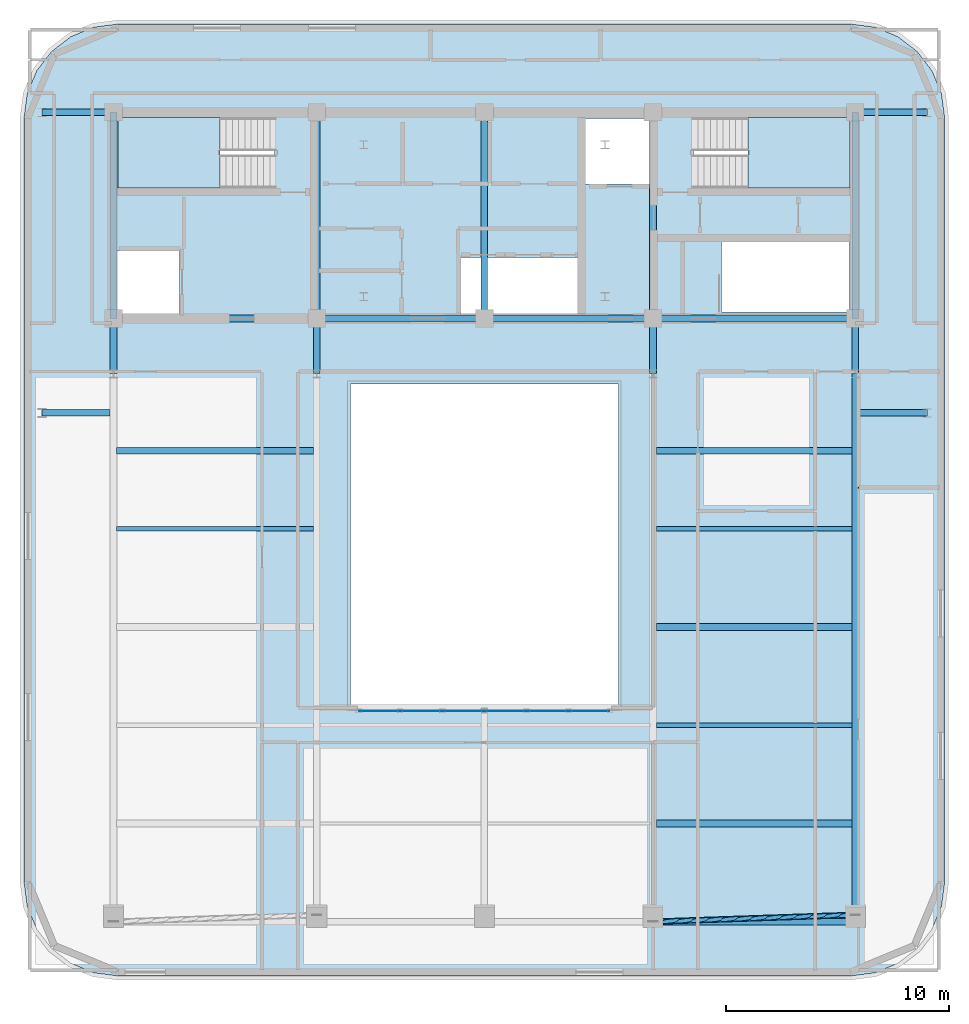
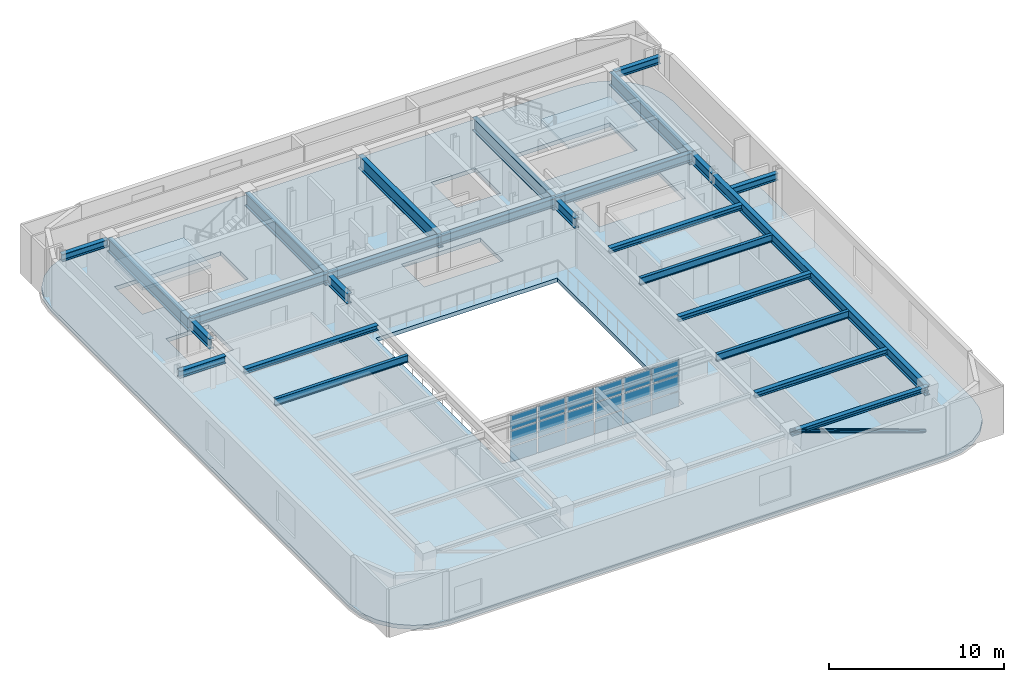
# One storey, part 4 of 11: 26 beams, 18 plates, 3 slabs, 1 member, 3 elements without a shape of their own.
"""IFC4 building model written with IfcOpenShell, lengths in metres."""

from ifc_helpers import new_model, si_unit, direction, frame, origin, origin_2d, place, context, subcontext, project, spatial, polyline, rectangle, hollow_circle, i_section, outline, extrude, material, layer, layer_set, material_profile, profile_set, type_object, element, aggregate, save


model = new_model("IFC4")

# Units and contexts
model_context = context("Model", 3, precision=1e-05, world=origin(), true_north=direction((0.0, 1.0)))
body_context = subcontext(model_context, "Body", "Model", "MODEL_VIEW")
ifc_project = project(units=[si_unit("LENGTHUNIT", "METRE"), si_unit("AREAUNIT", "SQUARE_METRE"), si_unit("VOLUMEUNIT", "CUBIC_METRE"), si_unit("PLANEANGLEUNIT", "RADIAN"), si_unit("MASSUNIT", "GRAM", prefix="KILO")], contexts=[model_context])

# Site, building, storey
site_placement = place(None, origin())
site = spatial("IfcSite", under=ifc_project, at=site_placement, CompositionType="ELEMENT")
building_placement = place(site_placement, origin())
building = spatial("IfcBuilding", under=site, at=building_placement, Name="Zarnavel Station Tower", CompositionType="ELEMENT")
storey_placement = place(building_placement, frame((0.0, 0.0, 276.89990234375)))
storey = spatial("IfcBuildingStorey", under=building, at=storey_placement, Name="L75", CompositionType="ELEMENT", Elevation=276.89990234375)

# Member
ifc_material_1 = material(Name="Steel S355J2", Category="steel")
ifc_material_profile_1 = material_profile(ifc_material_1, hollow_circle(Radius=0.122314453125, WallThickness=0.010009765625, at=origin_2d()), Name="CHS244.5x10")
ifc_profile_set_1 = profile_set([ifc_material_profile_1], Name="Steel S355J2")
member_type = type_object("IfcMemberType", Name="DB_EXT_CHS245", PredefinedType="BRACE", material=ifc_profile_set_1)
member_placement = place(storey_placement, frame((45.39990234375, 1.13525390625, 0.0), z_axis=(-0.936319427432, -0.031675422521, 0.349717882616), x_axis=(0.033810376748, -0.999428265772, 0.0)))
element("IfcMember", 1, at=member_placement, inside=storey, type_object=member_type, Name="L75 Persian Exterior Diagonal Frame Brace 2", PredefinedType="BRACE", context=body_context, shape_type="SweptSolid", body=[
    extrude(hollow_circle(Radius=0.122314453125, WallThickness=0.010009765625, at=origin_2d()), origin(), (0.0, 0.0, 1.0), 9.665283203125),
])

# Beams
ifc_material_2 = material(Name="Steel S355J2", Category="steel")
ifc_material_profile_2 = material_profile(ifc_material_2, i_section(OverallWidth=0.300048828125, OverallDepth=0.320068359375, WebThickness=0.011474609375, FlangeThickness=0.0205078125, FilletRadius=0.027099609375, at=origin_2d()), Name="HEB320")
ifc_profile_set_2 = profile_set([ifc_material_profile_2], Name="Steel S355J2")
beam_type_1 = type_object("IfcBeamType", Name="EB_HEB320", PredefinedType="SPANDREL", material=ifc_profile_set_2)
beam_1_placement = place(storey_placement, frame((36.35009765625, 0.8291015625, 3.22021484375), z_axis=(1.0, 0.0, 0.0), x_axis=(0.0, 1.0, 0.0)))
element("IfcBeam", 2, at=beam_1_placement, inside=storey, type_object=beam_type_1, Name="L75 South Raked Spandrel 4", PredefinedType="SPANDREL", context=body_context, shape_type="SweptSolid", body=[
    extrude(i_section(OverallWidth=0.300048828125, OverallDepth=0.320068359375, WebThickness=0.011474609375, FlangeThickness=0.0205078125, FilletRadius=0.027099609375, at=origin_2d()), origin(), (0.0, 0.0, 1.0), 9.0498046875),
])
ifc_material_3 = material(Name="Steel S355J2", Category="steel")
ifc_material_profile_3 = material_profile(ifc_material_3, i_section(OverallWidth=0.300048828125, OverallDepth=0.35009765625, WebThickness=0.010009765625, FlangeThickness=0.017578125, FilletRadius=0.027099609375, at=origin_2d()), Name="HEA360")
ifc_profile_set_3 = profile_set([ifc_material_profile_3], Name="Steel S355J2")
beam_type_2 = type_object("IfcBeamType", Name="FB_HEA360", PredefinedType="BEAM", material=ifc_profile_set_3)
for number, where, z_axis, x_axis, name in (
    (3, (36.4951171875, 5.22412109375, 3.205078125), (1.0, 0.0, 0.0), (0.0, 1.0, 0.0), "L75 East Bay Beam 1"),
    (4, (36.4951171875, 14.014404296875, 3.205078125), (1.0, 0.0, 0.0), (0.0, 1.0, 0.0), "L75 East Bay Beam 3"),
):
    element("IfcBeam", number, at=place(storey_placement, frame(where, z_axis=z_axis, x_axis=x_axis)), inside=storey, type_object=beam_type_2, Name=name, PredefinedType="BEAM", context=body_context, shape_type="SweptSolid", body=[
        extrude(i_section(OverallWidth=0.300048828125, OverallDepth=0.35009765625, WebThickness=0.010009765625, FlangeThickness=0.017578125, FilletRadius=0.027099609375, at=origin_2d()), origin(), (0.0, 0.0, 1.0), 8.759765625),
    ])
beam_2_placement = place(storey_placement, frame((12.344970703125, 21.90478515625, 3.205078125), z_axis=(1.0, 0.0, 0.0), x_axis=(0.0, 1.0, 0.0)))
element("IfcBeam", 5, at=beam_2_placement, inside=storey, type_object=beam_type_2, Name="L75 West Bay Beam 5", PredefinedType="BEAM", context=body_context, shape_type="SweptSolid", body=[
    extrude(i_section(OverallWidth=0.300048828125, OverallDepth=0.35009765625, WebThickness=0.010009765625, FlangeThickness=0.017578125, FilletRadius=0.027099609375, at=origin_2d()), origin(), (0.0, 0.0, 1.0), 8.81005859375),
])
beam_3_placement = place(storey_placement, frame((36.4951171875, 21.90478515625, 3.205078125), z_axis=(1.0, 0.0, 0.0), x_axis=(0.0, 1.0, 0.0)))
element("IfcBeam", 6, at=beam_3_placement, inside=storey, type_object=beam_type_2, Name="L75 East Bay Beam 5", PredefinedType="BEAM", context=body_context, shape_type="SweptSolid", body=[
    extrude(i_section(OverallWidth=0.300048828125, OverallDepth=0.35009765625, WebThickness=0.010009765625, FlangeThickness=0.017578125, FilletRadius=0.027099609375, at=origin_2d()), origin(), (0.0, 0.0, 1.0), 8.759765625),
])
ifc_material_4 = material(Name="Steel S355J2", Category="steel")
ifc_material_profile_4 = material_profile(ifc_material_4, i_section(OverallWidth=0.199951171875, OverallDepth=0.5, WebThickness=0.01025390625, FlangeThickness=0.01611328125, FilletRadius=0.02099609375, at=origin_2d()), Name="IPE500")
ifc_profile_set_4 = profile_set([ifc_material_profile_4], Name="Steel S355J2")
beam_type_3 = type_object("IfcBeamType", Name="FB_IPE500", PredefinedType="BEAM", material=ifc_profile_set_4)
beam_4_placement = place(storey_placement, frame((36.4951171875, 9.619384765625, 3.130126953125), z_axis=(1.0, 0.0, 0.0), x_axis=(0.0, 1.0, 0.0)))
element("IfcBeam", 7, at=beam_4_placement, inside=storey, type_object=beam_type_3, Name="L75 East Bay Beam 2", PredefinedType="BEAM", context=body_context, shape_type="SweptSolid", body=[
    extrude(i_section(OverallWidth=0.199951171875, OverallDepth=0.5, WebThickness=0.01025390625, FlangeThickness=0.01611328125, FilletRadius=0.02099609375, at=origin_2d()), origin(), (0.0, 0.0, 1.0), 8.759765625),
])
beam_5_placement = place(storey_placement, frame((12.344970703125, 18.40966796875, 3.130126953125), z_axis=(1.0, 0.0, 0.0), x_axis=(0.0, 1.0, 0.0)))
element("IfcBeam", 8, at=beam_5_placement, inside=storey, type_object=beam_type_3, Name="L75 West Bay Beam 4", PredefinedType="BEAM", context=body_context, shape_type="SweptSolid", body=[
    extrude(i_section(OverallWidth=0.199951171875, OverallDepth=0.5, WebThickness=0.01025390625, FlangeThickness=0.01611328125, FilletRadius=0.02099609375, at=origin_2d()), origin(), (0.0, 0.0, 1.0), 8.81005859375),
])
beam_6_placement = place(storey_placement, frame((36.4951171875, 18.40966796875, 3.130126953125), z_axis=(1.0, 0.0, 0.0), x_axis=(0.0, 1.0, 0.0)))
element("IfcBeam", 9, at=beam_6_placement, inside=storey, type_object=beam_type_3, Name="L75 East Bay Beam 4", PredefinedType="BEAM", context=body_context, shape_type="SweptSolid", body=[
    extrude(i_section(OverallWidth=0.199951171875, OverallDepth=0.5, WebThickness=0.01025390625, FlangeThickness=0.01611328125, FilletRadius=0.02099609375, at=origin_2d()), origin(), (0.0, 0.0, 1.0), 8.759765625),
])
ifc_material_5 = material(Name="Steel S355J2", Category="steel")
ifc_material_profile_5 = material_profile(ifc_material_5, i_section(OverallWidth=0.300048828125, OverallDepth=0.5, WebThickness=0.014404296875, FlangeThickness=0.028076171875, FilletRadius=0.027099609375, at=origin_2d()), Name="HEB500")
ifc_profile_set_5 = profile_set([ifc_material_profile_5], Name="Steel S355J2")
beam_type_4 = type_object("IfcBeamType", Name="FG_HEB500", PredefinedType="USERDEFINED", material=ifc_profile_set_5)
for number, where, z_axis, x_axis, name in (
    (10, (9.0, 23.60009765625, 3.130126953125), (1.0, 0.0, 0.0), (0.0, 1.0, 0.0), "L75 West Wing South Tie 1"),
    (11, (9.0, 37.050048828125, 3.130126953125), (1.0, 0.0, 0.0), (0.0, 1.0, 0.0), "L75 West Wing North Tie 1"),
):
    element("IfcBeam", number, at=place(storey_placement, frame(where, z_axis=z_axis, x_axis=x_axis)), inside=storey, type_object=beam_type_4, Name=name, ObjectType="GIRDER", PredefinedType="USERDEFINED", context=body_context, shape_type="SweptSolid", body=[
        extrude(i_section(OverallWidth=0.300048828125, OverallDepth=0.5, WebThickness=0.014404296875, FlangeThickness=0.028076171875, FilletRadius=0.027099609375, at=origin_2d()), origin(), (0.0, 0.0, 1.0), 3.054931640625),
    ])
for number, where, z_axis, x_axis, name in (
    (12, (45.544921875, 23.60009765625, 3.130126953125), (1.0, 0.0, 0.0), (0.0, 1.0, 0.0), "L75 East Wing South Tie 1"),
    (13, (45.544921875, 37.050048828125, 3.130126953125), (1.0, 0.0, 0.0), (0.0, 1.0, 0.0), "L75 East Wing North Tie 1"),
):
    element("IfcBeam", number, at=place(storey_placement, frame(where, z_axis=z_axis, x_axis=x_axis)), inside=storey, type_object=beam_type_4, Name=name, ObjectType="GIRDER", PredefinedType="USERDEFINED", context=body_context, shape_type="SweptSolid", body=[
        extrude(i_section(OverallWidth=0.300048828125, OverallDepth=0.5, WebThickness=0.014404296875, FlangeThickness=0.028076171875, FilletRadius=0.027099609375, at=origin_2d()), origin(), (0.0, 0.0, 1.0), 3.05517578125),
    ])
ifc_material_6 = material(Name="Steel S355J2", Category="steel")
ifc_material_profile_6 = material_profile(ifc_material_6, i_section(OverallWidth=0.300048828125, OverallDepth=0.60009765625, WebThickness=0.015380859375, FlangeThickness=0.030029296875, FilletRadius=0.027099609375, at=origin_2d()), Name="HEB600")
ifc_profile_set_6 = profile_set([ifc_material_profile_6], Name="Steel S355J2")
beam_type_5 = type_object("IfcBeamType", Name="FG_HEB600", PredefinedType="USERDEFINED", material=ifc_profile_set_6)
beam_7_placement = place(storey_placement, frame((12.199951171875, 27.820068359375, 3.080078125), z_axis=(1.0, 0.0, 0.0), x_axis=(0.0, 1.0, 0.0)))
element("IfcBeam", 14, at=beam_7_placement, inside=storey, type_object=beam_type_5, Name="L75 Core Front Coupling Beam 1", ObjectType="GIRDER", PredefinedType="USERDEFINED", context=body_context, shape_type="SweptSolid", body=[
    extrude(i_section(OverallWidth=0.300048828125, OverallDepth=0.60009765625, WebThickness=0.015380859375, FlangeThickness=0.030029296875, FilletRadius=0.027099609375, at=origin_2d()), origin(), (0.0, 0.0, 1.0), 9.10009765625),
])
beam_8_placement = place(storey_placement, frame((21.300048828125, 27.820068359375, 3.080078125), z_axis=(1.0, 0.0, 0.0), x_axis=(0.0, 1.0, 0.0)))
element("IfcBeam", 15, at=beam_8_placement, inside=storey, type_object=beam_type_5, Name="L75 Core Front Coupling Beam 2", ObjectType="GIRDER", PredefinedType="USERDEFINED", context=body_context, shape_type="SweptSolid", body=[
    extrude(i_section(OverallWidth=0.300048828125, OverallDepth=0.60009765625, WebThickness=0.015380859375, FlangeThickness=0.030029296875, FilletRadius=0.027099609375, at=origin_2d()), origin(), (0.0, 0.0, 1.0), 7.5),
])
beam_9_placement = place(storey_placement, frame((28.800048828125, 27.820068359375, 3.080078125), z_axis=(1.0, 0.0, 0.0), x_axis=(0.0, 1.0, 0.0)))
element("IfcBeam", 16, at=beam_9_placement, inside=storey, type_object=beam_type_5, Name="L75 Core Front Coupling Beam 3", ObjectType="GIRDER", PredefinedType="USERDEFINED", context=body_context, shape_type="SweptSolid", body=[
    extrude(i_section(OverallWidth=0.300048828125, OverallDepth=0.60009765625, WebThickness=0.015380859375, FlangeThickness=0.030029296875, FilletRadius=0.027099609375, at=origin_2d()), origin(), (0.0, 0.0, 1.0), 7.550048828125),
])
beam_10_placement = place(storey_placement, frame((36.35009765625, 27.820068359375, 3.080078125), z_axis=(1.0, 0.0, 0.0), x_axis=(0.0, 1.0, 0.0)))
element("IfcBeam", 17, at=beam_10_placement, inside=storey, type_object=beam_type_5, Name="L75 Core Front Coupling Beam 4", ObjectType="GIRDER", PredefinedType="USERDEFINED", context=body_context, shape_type="SweptSolid", body=[
    extrude(i_section(OverallWidth=0.300048828125, OverallDepth=0.60009765625, WebThickness=0.015380859375, FlangeThickness=0.030029296875, FilletRadius=0.027099609375, at=origin_2d()), origin(), (0.0, 0.0, 1.0), 9.0498046875),
])
ifc_material_7 = material(Name="Steel S355J2", Category="steel")
ifc_material_profile_7 = material_profile(ifc_material_7, i_section(OverallWidth=0.300048828125, OverallDepth=0.699951171875, WebThickness=0.01708984375, FlangeThickness=0.031982421875, FilletRadius=0.027099609375, at=origin_2d()), Name="HEB700")
ifc_profile_set_7 = profile_set([ifc_material_profile_7], Name="Steel S355J2")
beam_type_6 = type_object("IfcBeamType", Name="FG_HEB700", PredefinedType="USERDEFINED", material=ifc_profile_set_7)
for number, where, z_axis, x_axis, name in (
    (18, (12.199951171875, 25.35009765625, 3.030029296875), (0.0, 1.0, 0.0), (-1.0, 0.0, 0.0), "L75 Inner-Zone NS Girder 1"),
    (19, (21.300048828125, 25.35009765625, 3.030029296875), (0.0, 1.0, 0.0), (-1.0, 0.0, 0.0), "L75 Inner-Zone NS Girder 2"),
    (20, (36.35009765625, 25.35009765625, 3.030029296875), (0.0, 1.0, 0.0), (-1.0, 0.0, 0.0), "L75 Inner-Zone NS Girder 4"),
):
    element("IfcBeam", number, at=place(storey_placement, frame(where, z_axis=z_axis, x_axis=x_axis)), inside=storey, type_object=beam_type_6, Name=name, ObjectType="GIRDER", PredefinedType="USERDEFINED", context=body_context, shape_type="SweptSolid", body=[
        extrude(i_section(OverallWidth=0.300048828125, OverallDepth=0.699951171875, WebThickness=0.01708984375, FlangeThickness=0.031982421875, FilletRadius=0.027099609375, at=origin_2d()), origin(), (0.0, 0.0, 1.0), 2.469970703125),
    ])
beam_11_placement = place(storey_placement, frame((45.39990234375, 0.8291015625, 3.030029296875), z_axis=(0.0, 1.0, 0.0), x_axis=(-1.0, 0.0, 0.0)))
element("IfcBeam", 21, at=beam_11_placement, inside=storey, type_object=beam_type_6, Name="L75 South-Zone NS Girder 5", ObjectType="GIRDER", PredefinedType="USERDEFINED", context=body_context, shape_type="SweptSolid", body=[
    extrude(i_section(OverallWidth=0.300048828125, OverallDepth=0.699951171875, WebThickness=0.01708984375, FlangeThickness=0.031982421875, FilletRadius=0.027099609375, at=origin_2d()), origin(), (0.0, 0.0, 1.0), 24.52099609375),
])
beam_12_placement = place(storey_placement, frame((45.39990234375, 25.35009765625, 3.030029296875), z_axis=(0.0, 1.0, 0.0), x_axis=(-1.0, 0.0, 0.0)))
element("IfcBeam", 22, at=beam_12_placement, inside=storey, type_object=beam_type_6, Name="L75 Inner-Zone NS Girder 5", ObjectType="GIRDER", PredefinedType="USERDEFINED", context=body_context, shape_type="SweptSolid", body=[
    extrude(i_section(OverallWidth=0.300048828125, OverallDepth=0.699951171875, WebThickness=0.01708984375, FlangeThickness=0.031982421875, FilletRadius=0.027099609375, at=origin_2d()), origin(), (0.0, 0.0, 1.0), 2.469970703125),
])
ifc_material_8 = material(Name="Steel S460M", Category="steel")
ifc_material_profile_8 = material_profile(ifc_material_8, i_section(OverallWidth=0.302001953125, OverallDepth=0.909912109375, WebThickness=0.02099609375, FlangeThickness=0.0400390625, FilletRadius=0.030029296875, at=origin_2d()), Name="HEM900")
ifc_profile_set_8 = profile_set([ifc_material_profile_8], Name="Steel S460M")
beam_type_7 = type_object("IfcBeamType", Name="TG_HEM900", PredefinedType="USERDEFINED", material=ifc_profile_set_8)
for number, where, z_axis, x_axis, name in (
    (23, (12.199951171875, 27.820068359375, 2.925048828125), (0.0, 1.0, 0.0), (-1.0, 0.0, 0.0), "L75 Core Spine Coupling Girder 1"),
    (24, (21.300048828125, 27.820068359375, 2.925048828125), (0.0, 1.0, 0.0), (-1.0, 0.0, 0.0), "L75 Core Spine Coupling Girder 2"),
    (25, (28.800048828125, 27.820068359375, 2.925048828125), (0.0, 1.0, 0.0), (-1.0, 0.0, 0.0), "L75 Core Spine Coupling Girder 3"),
    (26, (36.35009765625, 27.820068359375, 2.925048828125), (0.0, 1.0, 0.0), (-1.0, 0.0, 0.0), "L75 Core Spine Coupling Girder 4"),
    (27, (45.39990234375, 27.820068359375, 2.925048828125), (0.0, 1.0, 0.0), (-1.0, 0.0, 0.0), "L75 Core Spine Coupling Girder 5"),
):
    element("IfcBeam", number, at=place(storey_placement, frame(where, z_axis=z_axis, x_axis=x_axis)), inside=storey, type_object=beam_type_7, Name=name, ObjectType="GIRDER", PredefinedType="USERDEFINED", context=body_context, shape_type="SweptSolid", body=[
        extrude(i_section(OverallWidth=0.302001953125, OverallDepth=0.909912109375, WebThickness=0.02099609375, FlangeThickness=0.0400390625, FilletRadius=0.030029296875, at=origin_2d()), origin(), (0.0, 0.0, 1.0), 9.22998046875),
    ])

# Curtain wall, plates
ifc_material_9 = material(Name="Aluminium Dark Anodised and Solar-Control Glass", Category="aluminium")
ifc_layer_1 = layer(ifc_material_9, 0.179931640625)
ifc_layer_set_1 = layer_set([ifc_layer_1], Name="CWS6")
curtain_wall_type = type_object("IfcCurtainWallType", Name="CWS6", PredefinedType="NOTDEFINED", material=ifc_layer_set_1)
curtain_wall_placement = place(storey_placement, origin())
curtain_wall = element("IfcCurtainWall", 28, at=curtain_wall_placement, inside=storey, type_object=curtain_wall_type, Name="L75 Curtain Wall CWS6-L75-AS", PredefinedType="NOTDEFINED")
ifc_material_10 = material(Name="Double Low-E Dark Solar-Control Glass", Category="glass")
ifc_layer_2 = layer(ifc_material_10, 0.0380859375)
ifc_layer_set_2 = layer_set([ifc_layer_2], Name="CWS6_PNL")
plate_type = type_object("IfcPlateType", Name="CWS6_PNL", PredefinedType="CURTAIN_PANEL", material=ifc_layer_set_2)
plate_1_placement = place(storey_placement, frame((24.106689453125, 10.25, 0.06005859375), z_axis=(0.0, 0.0, 1.0), x_axis=(1.0, 0.0, 0.0)))
plate_1 = element("IfcPlate", 29, at=plate_1_placement, type_object=plate_type, Name="CW6 panel 1.1", PredefinedType="CURTAIN_PANEL", context=body_context, shape_type="SweptSolid", body=[
    extrude(rectangle(XDim=1.793212890625, YDim=0.028076171875, at=origin_2d()), origin(), (0.0, 0.0, 1.0), 1.03662109375),
])
plate_2_placement = place(storey_placement, frame((24.106689453125, 10.25, 1.15673828125), z_axis=(0.0, 0.0, 1.0), x_axis=(1.0, 0.0, 0.0)))
plate_2 = element("IfcPlate", 30, at=plate_2_placement, type_object=plate_type, Name="CW6 panel 1.2", PredefinedType="CURTAIN_PANEL", context=body_context, shape_type="SweptSolid", body=[
    extrude(rectangle(XDim=1.793212890625, YDim=0.028076171875, at=origin_2d()), origin(), (0.0, 0.0, 1.0), 1.066650390625),
])
plate_3_placement = place(storey_placement, frame((24.106689453125, 10.25, 2.283447265625), z_axis=(0.0, 0.0, 1.0), x_axis=(1.0, 0.0, 0.0)))
plate_3 = element("IfcPlate", 31, at=plate_3_placement, type_object=plate_type, Name="CW6 panel 1.3", PredefinedType="CURTAIN_PANEL", context=body_context, shape_type="SweptSolid", body=[
    extrude(rectangle(XDim=1.793212890625, YDim=0.028076171875, at=origin_2d()), origin(), (0.0, 0.0, 1.0), 1.03662109375),
])
plate_4_placement = place(storey_placement, frame((25.97509765625, 10.25, 0.06005859375), z_axis=(0.0, 0.0, 1.0), x_axis=(1.0, 0.0, 0.0)))
plate_4 = element("IfcPlate", 32, at=plate_4_placement, type_object=plate_type, Name="CW6 panel 2.1", PredefinedType="CURTAIN_PANEL", context=body_context, shape_type="SweptSolid", body=[
    extrude(rectangle(XDim=1.8232421875, YDim=0.028076171875, at=origin_2d()), origin(), (0.0, 0.0, 1.0), 1.03662109375),
])
plate_5_placement = place(storey_placement, frame((25.97509765625, 10.25, 1.15673828125), z_axis=(0.0, 0.0, 1.0), x_axis=(1.0, 0.0, 0.0)))
plate_5 = element("IfcPlate", 33, at=plate_5_placement, type_object=plate_type, Name="CW6 panel 2.2", PredefinedType="CURTAIN_PANEL", context=body_context, shape_type="SweptSolid", body=[
    extrude(rectangle(XDim=1.8232421875, YDim=0.028076171875, at=origin_2d()), origin(), (0.0, 0.0, 1.0), 1.066650390625),
])
plate_6_placement = place(storey_placement, frame((25.97509765625, 10.25, 2.283447265625), z_axis=(0.0, 0.0, 1.0), x_axis=(1.0, 0.0, 0.0)))
plate_6 = element("IfcPlate", 34, at=plate_6_placement, type_object=plate_type, Name="CW6 panel 2.3", PredefinedType="CURTAIN_PANEL", context=body_context, shape_type="SweptSolid", body=[
    extrude(rectangle(XDim=1.8232421875, YDim=0.028076171875, at=origin_2d()), origin(), (0.0, 0.0, 1.0), 1.03662109375),
])
plate_7_placement = place(storey_placement, frame((27.8583984375, 10.25, 0.06005859375), z_axis=(0.0, 0.0, 1.0), x_axis=(1.0, 0.0, 0.0)))
plate_7 = element("IfcPlate", 35, at=plate_7_placement, type_object=plate_type, Name="CW6 panel 3.1", PredefinedType="CURTAIN_PANEL", context=body_context, shape_type="SweptSolid", body=[
    extrude(rectangle(XDim=1.8232421875, YDim=0.028076171875, at=origin_2d()), origin(), (0.0, 0.0, 1.0), 1.03662109375),
])
plate_8_placement = place(storey_placement, frame((27.8583984375, 10.25, 1.15673828125), z_axis=(0.0, 0.0, 1.0), x_axis=(1.0, 0.0, 0.0)))
plate_8 = element("IfcPlate", 36, at=plate_8_placement, type_object=plate_type, Name="CW6 panel 3.2", PredefinedType="CURTAIN_PANEL", context=body_context, shape_type="SweptSolid", body=[
    extrude(rectangle(XDim=1.8232421875, YDim=0.028076171875, at=origin_2d()), origin(), (0.0, 0.0, 1.0), 1.066650390625),
])
plate_9_placement = place(storey_placement, frame((27.8583984375, 10.25, 2.283447265625), z_axis=(0.0, 0.0, 1.0), x_axis=(1.0, 0.0, 0.0)))
plate_9 = element("IfcPlate", 37, at=plate_9_placement, type_object=plate_type, Name="CW6 panel 3.3", PredefinedType="CURTAIN_PANEL", context=body_context, shape_type="SweptSolid", body=[
    extrude(rectangle(XDim=1.8232421875, YDim=0.028076171875, at=origin_2d()), origin(), (0.0, 0.0, 1.0), 1.03662109375),
])
plate_10_placement = place(storey_placement, frame((29.74169921875, 10.25, 0.06005859375), z_axis=(0.0, 0.0, 1.0), x_axis=(1.0, 0.0, 0.0)))
plate_10 = element("IfcPlate", 38, at=plate_10_placement, type_object=plate_type, Name="CW6 panel 4.1", PredefinedType="CURTAIN_PANEL", context=body_context, shape_type="SweptSolid", body=[
    extrude(rectangle(XDim=1.8232421875, YDim=0.028076171875, at=origin_2d()), origin(), (0.0, 0.0, 1.0), 1.03662109375),
])
plate_11_placement = place(storey_placement, frame((29.74169921875, 10.25, 1.15673828125), z_axis=(0.0, 0.0, 1.0), x_axis=(1.0, 0.0, 0.0)))
plate_11 = element("IfcPlate", 39, at=plate_11_placement, type_object=plate_type, Name="CW6 panel 4.2", PredefinedType="CURTAIN_PANEL", context=body_context, shape_type="SweptSolid", body=[
    extrude(rectangle(XDim=1.8232421875, YDim=0.028076171875, at=origin_2d()), origin(), (0.0, 0.0, 1.0), 1.066650390625),
])
plate_12_placement = place(storey_placement, frame((29.74169921875, 10.25, 2.283447265625), z_axis=(0.0, 0.0, 1.0), x_axis=(1.0, 0.0, 0.0)))
plate_12 = element("IfcPlate", 40, at=plate_12_placement, type_object=plate_type, Name="CW6 panel 4.3", PredefinedType="CURTAIN_PANEL", context=body_context, shape_type="SweptSolid", body=[
    extrude(rectangle(XDim=1.8232421875, YDim=0.028076171875, at=origin_2d()), origin(), (0.0, 0.0, 1.0), 1.03662109375),
])
plate_13_placement = place(storey_placement, frame((31.625, 10.25, 0.06005859375), z_axis=(0.0, 0.0, 1.0), x_axis=(1.0, 0.0, 0.0)))
plate_13 = element("IfcPlate", 41, at=plate_13_placement, type_object=plate_type, Name="CW6 panel 5.1", PredefinedType="CURTAIN_PANEL", context=body_context, shape_type="SweptSolid", body=[
    extrude(rectangle(XDim=1.8232421875, YDim=0.028076171875, at=origin_2d()), origin(), (0.0, 0.0, 1.0), 1.03662109375),
])
plate_14_placement = place(storey_placement, frame((31.625, 10.25, 1.15673828125), z_axis=(0.0, 0.0, 1.0), x_axis=(1.0, 0.0, 0.0)))
plate_14 = element("IfcPlate", 42, at=plate_14_placement, type_object=plate_type, Name="CW6 panel 5.2", PredefinedType="CURTAIN_PANEL", context=body_context, shape_type="SweptSolid", body=[
    extrude(rectangle(XDim=1.8232421875, YDim=0.028076171875, at=origin_2d()), origin(), (0.0, 0.0, 1.0), 1.066650390625),
])
plate_15_placement = place(storey_placement, frame((31.625, 10.25, 2.283447265625), z_axis=(0.0, 0.0, 1.0), x_axis=(1.0, 0.0, 0.0)))
plate_15 = element("IfcPlate", 43, at=plate_15_placement, type_object=plate_type, Name="CW6 panel 5.3", PredefinedType="CURTAIN_PANEL", context=body_context, shape_type="SweptSolid", body=[
    extrude(rectangle(XDim=1.8232421875, YDim=0.028076171875, at=origin_2d()), origin(), (0.0, 0.0, 1.0), 1.03662109375),
])
plate_16_placement = place(storey_placement, frame((33.493408203125, 10.25, 0.06005859375), z_axis=(0.0, 0.0, 1.0), x_axis=(1.0, 0.0, 0.0)))
plate_16 = element("IfcPlate", 44, at=plate_16_placement, type_object=plate_type, Name="CW6 panel 6.1", PredefinedType="CURTAIN_PANEL", context=body_context, shape_type="SweptSolid", body=[
    extrude(rectangle(XDim=1.793212890625, YDim=0.028076171875, at=origin_2d()), origin(), (0.0, 0.0, 1.0), 1.03662109375),
])
plate_17_placement = place(storey_placement, frame((33.493408203125, 10.25, 1.15673828125), z_axis=(0.0, 0.0, 1.0), x_axis=(1.0, 0.0, 0.0)))
plate_17 = element("IfcPlate", 45, at=plate_17_placement, type_object=plate_type, Name="CW6 panel 6.2", PredefinedType="CURTAIN_PANEL", context=body_context, shape_type="SweptSolid", body=[
    extrude(rectangle(XDim=1.793212890625, YDim=0.028076171875, at=origin_2d()), origin(), (0.0, 0.0, 1.0), 1.066650390625),
])
plate_18_placement = place(storey_placement, frame((33.493408203125, 10.25, 2.283447265625), z_axis=(0.0, 0.0, 1.0), x_axis=(1.0, 0.0, 0.0)))
plate_18 = element("IfcPlate", 46, at=plate_18_placement, type_object=plate_type, Name="CW6 panel 6.3", PredefinedType="CURTAIN_PANEL", context=body_context, shape_type="SweptSolid", body=[
    extrude(rectangle(XDim=1.793212890625, YDim=0.028076171875, at=origin_2d()), origin(), (0.0, 0.0, 1.0), 1.03662109375),
])
aggregate(curtain_wall, [plate_1, plate_2, plate_3, plate_4, plate_5, plate_6, plate_7, plate_8, plate_9, plate_10, plate_11, plate_12, plate_13, plate_14, plate_15, plate_16, plate_17, plate_18])

# Slab
ifc_material_11 = material(Name="Concrete C45/55", Category="concrete")
ifc_layer_3 = layer(ifc_material_11, 0.280029296875)
ifc_layer_set_3 = layer_set([ifc_layer_3], Name="SL_FLR_280")
slab_type_1 = type_object("IfcSlabType", Name="SL_FLR_280", PredefinedType="FLOOR", material=ifc_layer_set_3)
slab_1_placement = place(storey_placement, frame((0.0, 0.0, -0.27978515625)))
element("IfcSlab", 47, at=slab_1_placement, inside=storey, type_object=slab_type_1, Name="L75 Structural Floor Slab", PredefinedType="FLOOR", context=body_context, shape_type="SweptSolid", body=[
    extrude(outline(polyline([(45.199951171875, -1.60009765625), (46.287109375, -1.456787109375), (47.300048828125, -1.037353515625), (48.169921875, -0.369873046875), (48.83740234375, 0.5), (49.2568359375, 1.512939453125), (49.39990234375, 2.60009765625), (49.39990234375, 36.800048828125), (49.2568359375, 37.886962890625), (48.83740234375, 38.89990234375), (48.169921875, 39.769775390625), (47.300048828125, 40.437255859375), (46.287109375, 40.85693359375), (45.199951171875, 41.0), (12.39990234375, 41.0), (11.31298828125, 40.85693359375), (10.300048828125, 40.437255859375), (9.43017578125, 39.769775390625), (8.7626953125, 38.89990234375), (8.343017578125, 37.886962890625), (8.199951171875, 36.800048828125), (8.199951171875, 2.60009765625), (8.343017578125, 1.512939453125), (8.7626953125, 0.5), (9.43017578125, -0.369873046875), (10.300048828125, -1.037353515625), (11.31298828125, -1.456787109375), (12.39990234375, -1.60009765625), (45.199951171875, -1.60009765625)]), holes=[polyline([(12.39990234375, 33.659912109375), (19.409912109375, 33.659912109375), (19.409912109375, 36.820068359375), (12.39990234375, 36.820068359375), (12.39990234375, 33.659912109375)]), polyline([(38.14990234375, 33.659912109375), (45.159912109375, 33.659912109375), (45.159912109375, 36.820068359375), (38.14990234375, 36.820068359375), (38.14990234375, 33.659912109375)]), polyline([(39.419921875, 28.1201171875), (45.14990234375, 28.1201171875), (45.14990234375, 31.280029296875), (39.419921875, 31.280029296875), (39.419921875, 28.1201171875)]), polyline([(12.35009765625, 27.949951171875), (15.14990234375, 27.949951171875), (15.14990234375, 30.85009765625), (12.35009765625, 30.85009765625), (12.35009765625, 27.949951171875)]), polyline([(33.320068359375, 33.85009765625), (36.2099609375, 33.85009765625), (36.2099609375, 36.780029296875), (33.320068359375, 36.780029296875), (33.320068359375, 33.85009765625)]), polyline([(27.75, 27.949951171875), (32.97998046875, 27.949951171875), (32.97998046875, 30.550048828125), (27.75, 30.550048828125), (27.75, 27.949951171875)]), polyline([(22.800048828125, 10.39990234375), (34.800048828125, 10.39990234375), (34.800048828125, 24.89990234375), (22.800048828125, 24.89990234375), (22.800048828125, 10.39990234375)])]), origin(), (0.0, 0.0, 1.0), 0.27978515625),
])

# Stair, slab
ifc_material_12 = material(Name="Concrete C45/55", Category="concrete")
stair_type = type_object("IfcStairType", Name="ST_CORE_150", PredefinedType="HALF_TURN_STAIR", material=ifc_material_12)
stair_1_placement = place(storey_placement, origin())
stair_1 = element("IfcStair", 48, at=stair_1_placement, inside=storey, type_object=stair_type, Name="L75 Core Exit Stair ST1", PredefinedType="HALF_TURN_STAIR")
ifc_material_13 = material(Name="Concrete C45/55", Category="concrete")
ifc_layer_4 = layer(ifc_material_13, 0.199951171875)
ifc_layer_set_4 = layer_set([ifc_layer_4], Name="SL_STAIR_LAND_200")
slab_type_2 = type_object("IfcSlabType", Name="SL_STAIR_LAND_200", PredefinedType="LANDING", material=ifc_layer_set_4)
slab_2_placement = place(storey_placement, frame((0.0, 0.0, 1.650146484375)))
slab_2 = element("IfcSlab", 49, at=slab_2_placement, type_object=slab_type_2, Name="ST1 landing 1", PredefinedType="LANDING", context=body_context, shape_type="SweptSolid", body=[
    extrude(outline(polyline([(16.9599609375, 36.820068359375), (12.39990234375, 36.820068359375), (12.39990234375, 33.659912109375), (16.9599609375, 33.659912109375), (16.9599609375, 36.820068359375)])), origin(), (0.0, 0.0, 1.0), 0.199951171875),
])
aggregate(stair_1, [slab_2])

stair_2_placement = place(storey_placement, origin())
stair_2 = element("IfcStair", 50, at=stair_2_placement, inside=storey, type_object=stair_type, Name="L75 Core Exit Stair ST2", PredefinedType="HALF_TURN_STAIR")
slab_3_placement = place(storey_placement, frame((0.0, 0.0, 1.650146484375)))
slab_3 = element("IfcSlab", 51, at=slab_3_placement, type_object=slab_type_2, Name="ST2 landing 1", PredefinedType="LANDING", context=body_context, shape_type="SweptSolid", body=[
    extrude(outline(polyline([(40.60009765625, 33.659912109375), (45.159912109375, 33.659912109375), (45.159912109375, 36.820068359375), (40.60009765625, 36.820068359375), (40.60009765625, 33.659912109375)])), origin(), (0.0, 0.0, 1.0), 0.199951171875),
])
aggregate(stair_2, [slab_3])

save(model, "model.ifc")
